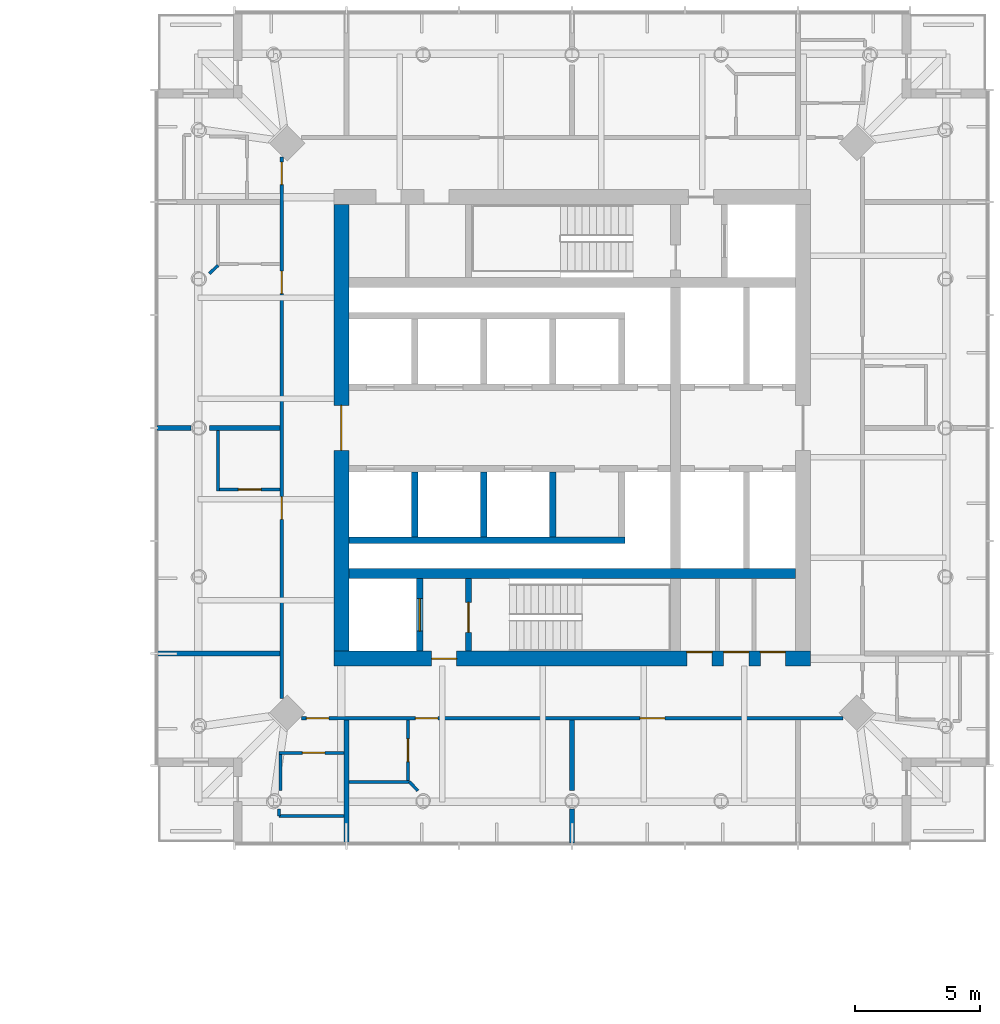
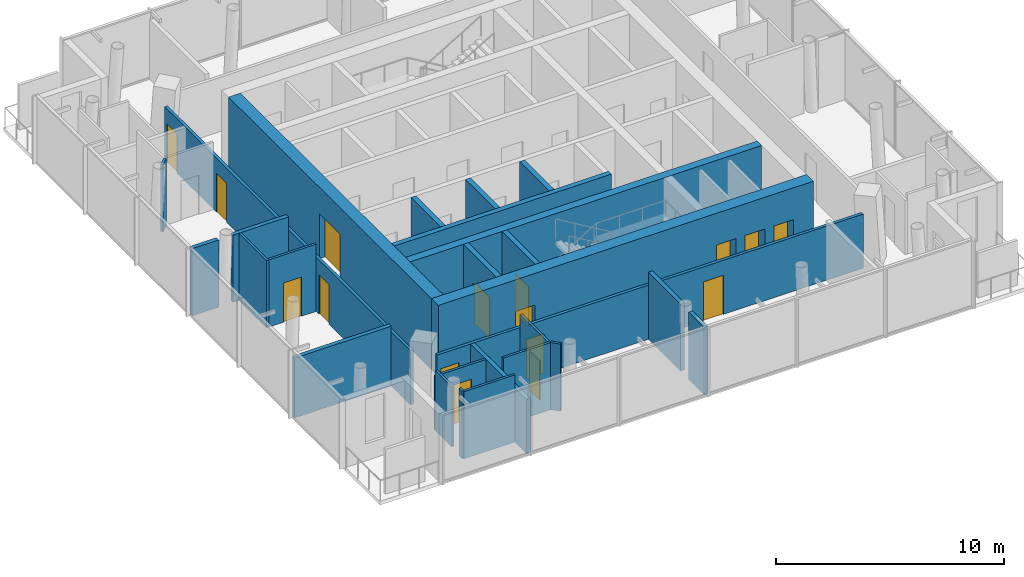
# One storey, part 13 of 19: 27 walls, 16 doors, 16 openings.
"""IFC4 building model written with IfcOpenShell, lengths in metres."""

from ifc_helpers import new_model, si_unit, direction, frame, frame_2d, origin, place, context, subcontext, project, spatial, rectangle, extrude, material, layer, layer_set, type_object, element, fill, save


model = new_model("IFC4")

# Units and contexts
model_context = context("Model", 3, precision=1e-05, world=origin(), true_north=direction((0.0, 1.0)))
body_context = subcontext(model_context, "Body", "Model", "MODEL_VIEW")
ifc_project = project(units=[si_unit("LENGTHUNIT", "METRE"), si_unit("AREAUNIT", "SQUARE_METRE"), si_unit("VOLUMEUNIT", "CUBIC_METRE"), si_unit("PLANEANGLEUNIT", "RADIAN"), si_unit("MASSUNIT", "GRAM", prefix="KILO")], contexts=[model_context])

# Site, building, storey
site_placement = place(None, origin())
site = spatial("IfcSite", under=ifc_project, at=site_placement, CompositionType="ELEMENT")
building_placement = place(site_placement, origin())
building = spatial("IfcBuilding", under=site, at=building_placement, Name="Ostroluk Exchange", CompositionType="ELEMENT")
storey_placement = place(building_placement, frame((0.0, 0.0, 116.0)))
storey = spatial("IfcBuildingStorey", under=building, at=storey_placement, Name="L29", CompositionType="ELEMENT", Elevation=116.0)

# Wall
ifc_material_1 = material(Name="Concrete C50/60", Category="concrete")
ifc_layer_1 = layer(ifc_material_1, 0.39990234375)
ifc_layer_set_1 = layer_set([ifc_layer_1], Name="Core cross wall 400 C50/60")
wall_type_1 = type_object("IfcWallType", Name="Core cross wall 400 C50/60", PredefinedType="SHEAR", material=ifc_layer_set_1)
wall_1_placement = place(storey_placement, frame((108.10009765625, 40.199951171875, 0.0), z_axis=(0.0, 0.0, 1.0), x_axis=(1.0, 0.0, 0.0)))
element("IfcWall", 1, at=wall_1_placement, inside=storey, type_object=wall_type_1, Name="T2 core wall XS", PredefinedType="SHEAR", context=body_context, shape_type="SweptSolid", body=[
    extrude(rectangle(XDim=17.7998046875, YDim=0.39990234375, at=frame_2d((8.89990234375, 0.0))), origin(), (0.0, 0.0, 1.0), 3.800048828125),
])

# Wall, opening, door
ifc_material_2 = material(Name="Concrete C40/50", Category="concrete")
ifc_layer_2 = layer(ifc_material_2, 0.25)
ifc_layer_set_2 = layer_set([ifc_layer_2], Name="Core shaft wall 250")
wall_type_2 = type_object("IfcWallType", Name="Core shaft wall 250", PredefinedType="SHEAR", material=ifc_layer_set_2)
wall_2_placement = place(storey_placement, frame((110.925048828125, 37.10009765625, 0.0), z_axis=(0.0, 0.0, 1.0), x_axis=(0.0, 1.0, 0.0)))
wall_2 = element("IfcWall", 2, at=wall_2_placement, inside=storey, type_object=wall_type_2, Name="Firefighting lift shaft wall", PredefinedType="SHEAR", context=body_context, shape_type="SweptSolid", body=[
    extrude(rectangle(XDim=2.89990234375, YDim=0.25, at=frame_2d((1.449951171875, 0.0))), origin(), (0.0, 0.0, 1.0), 3.800048828125),
])
opening_1_placement = place(wall_2_placement, frame((0.800048828125, 0.0, 0.0)))
opening_1 = element("IfcOpeningElement", 3, at=opening_1_placement, cuts=wall_2, Name="Opening LD2", PredefinedType="OPENING", context=body_context, shape_type="SweptSolid", body=[
    extrude(rectangle(XDim=1.300048828125, YDim=2.199951171875, at=frame_2d((0.64990234375, 1.10009765625))), frame((0.0, 0.135009765625, 0.0), z_axis=(0.0, -1.0, 0.0), x_axis=(1.0, 0.0, 0.0)), (0.0, 0.0, 1.0), 0.27001953125),
])
ifc_material_3 = material(Name="Stainless steel", Category="steel")
door_type_1 = type_object("IfcDoorType", Name="Lift landing door E 60 1300 x 2200", OperationType="DOUBLE_DOOR_SLIDING", PredefinedType="DOOR", material=ifc_material_3)
door_1_placement = place(opening_1_placement, origin())
door_1 = element("IfcDoor", 4, at=door_1_placement, inside=storey, type_object=door_type_1, Name="Lift HF1 landing door", OperationType="DOUBLE_DOOR_SLIDING", OverallHeight=2.199951171875, OverallWidth=1.300048828125, PredefinedType="DOOR", context=body_context, shape_type="SweptSolid", body=[
    extrude(rectangle(XDim=1.300048828125, YDim=2.199951171875, at=frame_2d((0.64990234375, 1.10009765625))), frame((0.0, 0.02490234375, 0.0), z_axis=(0.0, -1.0, 0.0), x_axis=(1.0, 0.0, 0.0)), (0.0, 0.0, 1.0), 0.050048828125),
])
fill(opening_1, door_1)

wall_3_placement = place(storey_placement, frame((112.875, 37.10009765625, 0.0), z_axis=(0.0, 0.0, 1.0), x_axis=(0.0, 1.0, 0.0)))
wall_3 = element("IfcWall", 5, at=wall_3_placement, inside=storey, type_object=wall_type_2, Name="Stair shaft wall", PredefinedType="SHEAR", context=body_context, shape_type="SweptSolid", body=[
    extrude(rectangle(XDim=2.89990234375, YDim=0.25, at=frame_2d((1.449951171875, 0.0))), origin(), (0.0, 0.0, 1.0), 3.800048828125),
])
opening_2_placement = place(wall_3_placement, frame((0.75, 0.0, 0.0)))
opening_2 = element("IfcOpeningElement", 6, at=opening_2_placement, cuts=wall_3, Name="Opening FD60S", PredefinedType="OPENING", context=body_context, shape_type="SweptSolid", body=[
    extrude(rectangle(XDim=1.199951171875, YDim=2.10009765625, at=frame_2d((0.60009765625, 1.050048828125))), frame((0.0, 0.135009765625, 0.0), z_axis=(0.0, -1.0, 0.0), x_axis=(1.0, 0.0, 0.0)), (0.0, 0.0, 1.0), 0.27001953125),
])
ifc_material_4 = material(Name="Steel", Category="steel")
door_type_2 = type_object("IfcDoorType", Name="Stair door EI 60 1200 x 2100", OperationType="SINGLE_SWING_LEFT", PredefinedType="DOOR", material=ifc_material_4)
door_2_placement = place(opening_2_placement, origin())
door_2 = element("IfcDoor", 7, at=door_2_placement, inside=storey, type_object=door_type_2, Name="Stair T2-S1 door", OperationType="SINGLE_SWING_LEFT", OverallHeight=2.10009765625, OverallWidth=1.199951171875, PredefinedType="DOOR", context=body_context, shape_type="SweptSolid", body=[
    extrude(rectangle(XDim=1.199951171875, YDim=2.10009765625, at=frame_2d((0.60009765625, 1.050048828125))), frame((0.0, 0.02490234375, 0.0), z_axis=(0.0, -1.0, 0.0), x_axis=(1.0, 0.0, 0.0)), (0.0, 0.0, 1.0), 0.050048828125),
])
fill(opening_2, door_2)

# Walls
for number, where, z_axis, x_axis, name in (
    (8, (110.72509765625, 44.25, 0.0), (0.0, 0.0, 1.0), (0.0, -1.0, 0.0), "Lift shaft wall"),
    (9, (113.47509765625, 44.25, 0.0), (0.0, 0.0, 1.0), (0.0, -1.0, 0.0), "Lift shaft wall"),
    (10, (116.22509765625, 44.25, 0.0), (0.0, 0.0, 1.0), (0.0, -1.0, 0.0), "Lift shaft wall"),
):
    element("IfcWall", number, at=place(storey_placement, frame(where, z_axis=z_axis, x_axis=x_axis)), inside=storey, type_object=wall_type_2, Name=name, PredefinedType="SHEAR", context=body_context, shape_type="SweptSolid", body=[
        extrude(rectangle(XDim=2.60009765625, YDim=0.25, at=frame_2d((1.300048828125, 0.0))), origin(), (0.0, 0.0, 1.0), 3.800048828125),
    ])
wall_4_placement = place(storey_placement, frame((108.10009765625, 41.52490234375, 0.0), z_axis=(0.0, 0.0, 1.0), x_axis=(1.0, 0.0, 0.0)))
element("IfcWall", 11, at=wall_4_placement, inside=storey, type_object=wall_type_2, Name="Lift shaft wall", PredefinedType="SHEAR", context=body_context, shape_type="SweptSolid", body=[
    extrude(rectangle(XDim=11.0, YDim=0.25, at=frame_2d((5.5, 0.0))), origin(), (0.0, 0.0, 1.0), 3.800048828125),
])

# Wall, openings, doors
ifc_material_5 = material(Name="Concrete C50/60", Category="concrete")
ifc_layer_3 = layer(ifc_material_5, 0.60009765625)
ifc_layer_set_3 = layer_set([ifc_layer_3], Name="Core wall 600 C50/60")
wall_type_3 = type_object("IfcWallType", Name="Core wall 600 C50/60", PredefinedType="SHEAR", material=ifc_layer_set_3)
wall_5_placement = place(storey_placement, frame((107.5, 36.800048828125, 0.0), z_axis=(0.0, 0.0, 1.0), x_axis=(1.0, 0.0, 0.0)))
wall_5 = element("IfcWall", 12, at=wall_5_placement, inside=storey, type_object=wall_type_3, Name="T2 core wall S", PredefinedType="SHEAR", context=body_context, shape_type="SweptSolid", body=[
    extrude(rectangle(XDim=19.0, YDim=0.60009765625, at=frame_2d((9.5, 0.0))), origin(), (0.0, 0.0, 1.0), 3.800048828125),
])
opening_3_placement = place(wall_5_placement, frame((3.89990234375, 0.0, 0.0)))
opening_3 = element("IfcOpeningElement", 13, at=opening_3_placement, cuts=wall_5, Name="Opening FD60", PredefinedType="OPENING", context=body_context, shape_type="SweptSolid", body=[
    extrude(rectangle(XDim=1.0, YDim=2.10009765625, at=frame_2d((0.5, 1.050048828125))), frame((0.0, 0.31005859375, 0.0), z_axis=(0.0, -1.0, 0.0), x_axis=(1.0, 0.0, 0.0)), (0.0, 0.0, 1.0), 0.6201171875),
])
opening_4_placement = place(wall_5_placement, frame((14.080078125, 0.0, 0.0)))
opening_4 = element("IfcOpeningElement", 14, at=opening_4_placement, cuts=wall_5, Name="Opening FD60", PredefinedType="OPENING", context=body_context, shape_type="SweptSolid", body=[
    extrude(rectangle(XDim=1.0, YDim=2.10009765625, at=frame_2d((0.5, 1.050048828125))), frame((0.0, 0.31005859375, 0.0), z_axis=(0.0, -1.0, 0.0), x_axis=(1.0, 0.0, 0.0)), (0.0, 0.0, 1.0), 0.6201171875),
])
opening_5_placement = place(wall_5_placement, frame((15.54248046875, 0.0, 0.0)))
opening_5 = element("IfcOpeningElement", 15, at=opening_5_placement, cuts=wall_5, Name="Opening FD60", PredefinedType="OPENING", context=body_context, shape_type="SweptSolid", body=[
    extrude(rectangle(XDim=1.0, YDim=2.10009765625, at=frame_2d((0.5, 1.050048828125))), frame((0.0, 0.31005859375, 0.0), z_axis=(0.0, -1.0, 0.0), x_axis=(1.0, 0.0, 0.0)), (0.0, 0.0, 1.0), 0.6201171875),
])
opening_6_placement = place(wall_5_placement, frame((17.0048828125, 0.0, 0.0)))
opening_6 = element("IfcOpeningElement", 16, at=opening_6_placement, cuts=wall_5, Name="Opening FD60", PredefinedType="OPENING", context=body_context, shape_type="SweptSolid", body=[
    extrude(rectangle(XDim=1.0, YDim=2.10009765625, at=frame_2d((0.5, 1.050048828125))), frame((0.0, 0.31005859375, 0.0), z_axis=(0.0, -1.0, 0.0), x_axis=(1.0, 0.0, 0.0)), (0.0, 0.0, 1.0), 0.6201171875),
])
ifc_material_6 = material(Name="Steel", Category="steel")
door_type_3 = type_object("IfcDoorType", Name="Fire door EI 60 1000 x 2100", OperationType="SINGLE_SWING_LEFT", PredefinedType="DOOR", material=ifc_material_6)
door_3_placement = place(opening_3_placement, origin())
door_3 = element("IfcDoor", 17, at=door_3_placement, inside=storey, type_object=door_type_3, Name="Firefighting lobby door", OperationType="SINGLE_SWING_LEFT", OverallHeight=2.10009765625, OverallWidth=1.0, PredefinedType="DOOR", context=body_context, shape_type="SweptSolid", body=[
    extrude(rectangle(XDim=1.0, YDim=2.10009765625, at=frame_2d((0.5, 1.050048828125))), frame((0.0, 0.02490234375, 0.0), z_axis=(0.0, -1.0, 0.0), x_axis=(1.0, 0.0, 0.0)), (0.0, 0.0, 1.0), 0.050048828125),
])
fill(opening_3, door_3)
door_4_placement = place(opening_4_placement, origin())
door_4 = element("IfcDoor", 18, at=door_4_placement, inside=storey, type_object=door_type_3, Name="Linen store door", OperationType="SINGLE_SWING_RIGHT", OverallHeight=2.10009765625, OverallWidth=1.0, PredefinedType="DOOR", context=body_context, shape_type="SweptSolid", body=[
    extrude(rectangle(XDim=1.0, YDim=2.10009765625, at=frame_2d((0.5, 1.050048828125))), frame((0.0, 0.2900390625, 0.0), z_axis=(0.0, -1.0, 0.0), x_axis=(1.0, 0.0, 0.0)), (0.0, 0.0, 1.0), 0.050048828125),
])
fill(opening_4, door_4)
door_5_placement = place(opening_5_placement, origin())
door_5 = element("IfcDoor", 19, at=door_5_placement, inside=storey, type_object=door_type_3, Name="Housekeeping store door", OperationType="SINGLE_SWING_RIGHT", OverallHeight=2.10009765625, OverallWidth=1.0, PredefinedType="DOOR", context=body_context, shape_type="SweptSolid", body=[
    extrude(rectangle(XDim=1.0, YDim=2.10009765625, at=frame_2d((0.5, 1.050048828125))), frame((0.0, 0.2900390625, 0.0), z_axis=(0.0, -1.0, 0.0), x_axis=(1.0, 0.0, 0.0)), (0.0, 0.0, 1.0), 0.050048828125),
])
fill(opening_5, door_5)
door_6_placement = place(opening_6_placement, origin())
door_6 = element("IfcDoor", 20, at=door_6_placement, inside=storey, type_object=door_type_3, Name="Luggage store door", OperationType="SINGLE_SWING_RIGHT", OverallHeight=2.10009765625, OverallWidth=1.0, PredefinedType="DOOR", context=body_context, shape_type="SweptSolid", body=[
    extrude(rectangle(XDim=1.0, YDim=2.10009765625, at=frame_2d((0.5, 1.050048828125))), frame((0.0, 0.2900390625, 0.0), z_axis=(0.0, -1.0, 0.0), x_axis=(1.0, 0.0, 0.0)), (0.0, 0.0, 1.0), 0.050048828125),
])
fill(opening_6, door_6)

# Wall, opening, door
wall_6_placement = place(storey_placement, frame((107.800048828125, 37.10009765625, 0.0), z_axis=(0.0, 0.0, 1.0), x_axis=(0.0, 1.0, 0.0)))
wall_6 = element("IfcWall", 21, at=wall_6_placement, inside=storey, type_object=wall_type_3, Name="T2 core wall W", PredefinedType="SHEAR", context=body_context, shape_type="SweptSolid", body=[
    extrude(rectangle(XDim=17.7998046875, YDim=0.60009765625, at=frame_2d((8.89990234375, 0.0))), origin(), (0.0, 0.0, 1.0), 3.800048828125),
])
opening_7_placement = place(wall_6_placement, frame((8.0, 0.0, 0.0)))
opening_7 = element("IfcOpeningElement", 22, at=opening_7_placement, cuts=wall_6, Name="Opening FD30D", PredefinedType="OPENING", context=body_context, shape_type="SweptSolid", body=[
    extrude(rectangle(XDim=1.800048828125, YDim=2.39990234375, at=frame_2d((0.89990234375, 1.199951171875))), frame((0.0, 0.31005859375, 0.0), z_axis=(0.0, -1.0, 0.0), x_axis=(1.0, 0.0, 0.0)), (0.0, 0.0, 1.0), 0.6201171875),
])
ifc_material_7 = material(Name="Timber", Category="wood")
door_type_4 = type_object("IfcDoorType", Name="Lobby double door EI 30 1800 x 2400", OperationType="DOUBLE_DOOR_SINGLE_SWING", PredefinedType="DOOR", material=ifc_material_7)
door_7_placement = place(opening_7_placement, origin())
door_7 = element("IfcDoor", 23, at=door_7_placement, inside=storey, type_object=door_type_4, Name="Lift lobby doors", OperationType="DOUBLE_DOOR_SINGLE_SWING", OverallHeight=2.39990234375, OverallWidth=1.800048828125, PredefinedType="DOOR", context=body_context, shape_type="SweptSolid", body=[
    extrude(rectangle(XDim=1.800048828125, YDim=2.39990234375, at=frame_2d((0.89990234375, 1.199951171875))), frame((0.0, 0.02490234375, 0.0), z_axis=(0.0, -1.0, 0.0), x_axis=(1.0, 0.0, 0.0)), (0.0, 0.0, 1.0), 0.050048828125),
])
fill(opening_7, door_7)

# Wall
ifc_material_8 = material(Name="Gypsum plasterboard partition, moisture resistant", Category="gypsum")
ifc_layer_4 = layer(ifc_material_8, 0.1201171875)
ifc_layer_set_4 = layer_set([ifc_layer_4], Name="Plasterboard en-suite wall 120")
wall_type_4 = type_object("IfcWallType", Name="Plasterboard en-suite wall 120", PredefinedType="PARTITIONING", material=ifc_layer_set_4)
wall_7_placement = place(storey_placement, frame((102.889892578125, 45.89990234375, 0.0), z_axis=(0.0, 0.0, 1.0), x_axis=(0.0, -1.0, 0.0)))
element("IfcWall", 24, at=wall_7_placement, inside=storey, type_object=wall_type_4, Name="En-suite wall", PredefinedType="PARTITIONING", context=body_context, shape_type="SweptSolid", body=[
    extrude(rectangle(XDim=2.419921875, YDim=0.1201171875, at=frame_2d((1.2099609375, 0.0))), origin(), (0.0, 0.0, 1.0), 3.60009765625),
])

# Wall, opening, door
wall_8_placement = place(storey_placement, frame((105.35009765625, 43.5400390625, 0.0), z_axis=(0.0, 0.0, 1.0), x_axis=(-1.0, 0.0, 0.0)))
wall_8 = element("IfcWall", 25, at=wall_8_placement, inside=storey, type_object=wall_type_4, Name="En-suite wall", PredefinedType="PARTITIONING", context=body_context, shape_type="SweptSolid", body=[
    extrude(rectangle(XDim=2.400146484375, YDim=0.1201171875, at=frame_2d((1.2001953125, 0.0))), origin(), (0.0, 0.0, 1.0), 3.60009765625),
])
opening_8_placement = place(wall_8_placement, frame((0.75, 0.0, 0.0)))
opening_8 = element("IfcOpeningElement", 26, at=opening_8_placement, cuts=wall_8, Name="Opening D-02", PredefinedType="OPENING", context=body_context, shape_type="SweptSolid", body=[
    extrude(rectangle(XDim=0.89990234375, YDim=2.10009765625, at=frame_2d((0.449951171875, 1.050048828125))), frame((0.0, 0.070068359375, 0.0), z_axis=(0.0, -1.0, 0.0), x_axis=(1.0, 0.0, 0.0)), (0.0, 0.0, 1.0), 0.14013671875),
])
ifc_material_9 = material(Name="Timber", Category="wood")
door_type_5 = type_object("IfcDoorType", Name="En-suite door 900 x 2100", OperationType="SINGLE_SWING_LEFT", PredefinedType="DOOR", material=ifc_material_9)
door_8_placement = place(opening_8_placement, origin())
door_8 = element("IfcDoor", 27, at=door_8_placement, inside=storey, type_object=door_type_5, Name="En-suite door 2907", OperationType="SINGLE_SWING_RIGHT", OverallHeight=2.10009765625, OverallWidth=0.89990234375, PredefinedType="DOOR", context=body_context, shape_type="SweptSolid", body=[
    extrude(rectangle(XDim=0.89990234375, YDim=2.10009765625, at=frame_2d((0.449951171875, 1.050048828125))), frame((0.0, 0.02490234375, 0.0), z_axis=(0.0, -1.0, 0.0), x_axis=(1.0, 0.0, 0.0)), (0.0, 0.0, 1.0), 0.050048828125),
])
fill(opening_8, door_8)

wall_9_placement = place(storey_placement, frame((107.89990234375, 33.050048828125, 0.0), z_axis=(0.0, 0.0, 1.0), x_axis=(-1.0, 0.0, 0.0)))
wall_9 = element("IfcWall", 28, at=wall_9_placement, inside=storey, type_object=wall_type_4, Name="En-suite wall", PredefinedType="PARTITIONING", context=body_context, shape_type="SweptSolid", body=[
    extrude(rectangle(XDim=2.579833984375, YDim=0.1201171875, at=frame_2d((1.2900390625, 0.0))), origin(), (0.0, 0.0, 1.0), 2.89990234375),
])
opening_9_placement = place(wall_9_placement, frame((0.75, 0.0, 0.0)))
opening_9 = element("IfcOpeningElement", 29, at=opening_9_placement, cuts=wall_9, Name="Opening D-02", PredefinedType="OPENING", context=body_context, shape_type="SweptSolid", body=[
    extrude(rectangle(XDim=0.89990234375, YDim=2.10009765625, at=frame_2d((0.449951171875, 1.050048828125))), frame((0.0, 0.070068359375, 0.0), z_axis=(0.0, -1.0, 0.0), x_axis=(1.0, 0.0, 0.0)), (0.0, 0.0, 1.0), 0.14013671875),
])
door_9_placement = place(opening_9_placement, origin())
door_9 = element("IfcDoor", 30, at=door_9_placement, inside=storey, type_object=door_type_5, Name="En-suite door 2908", OperationType="SINGLE_SWING_LEFT", OverallHeight=2.10009765625, OverallWidth=0.89990234375, PredefinedType="DOOR", context=body_context, shape_type="SweptSolid", body=[
    extrude(rectangle(XDim=0.89990234375, YDim=2.10009765625, at=frame_2d((0.449951171875, 1.050048828125))), frame((0.0, 0.02490234375, 0.0), z_axis=(0.0, -1.0, 0.0), x_axis=(1.0, 0.0, 0.0)), (0.0, 0.0, 1.0), 0.050048828125),
])
fill(opening_9, door_9)

# Walls
wall_10_placement = place(storey_placement, frame((107.89990234375, 30.530029296875, 0.0), z_axis=(0.0, 0.0, 1.0), x_axis=(-1.0, 0.0, 0.0)))
element("IfcWall", 31, at=wall_10_placement, inside=storey, type_object=wall_type_4, Name="En-suite wall", PredefinedType="PARTITIONING", context=body_context, shape_type="SweptSolid", body=[
    extrude(rectangle(XDim=2.579833984375, YDim=0.1201171875, at=frame_2d((1.2900390625, 0.0))), origin(), (0.0, 0.0, 1.0), 3.60009765625),
])
wall_11_placement = place(storey_placement, frame((105.3798828125, 32.989990234375, 0.0), z_axis=(0.0, 0.0, 1.0), x_axis=(0.0, -1.0, 0.0)))
element("IfcWall", 32, at=wall_11_placement, inside=storey, type_object=wall_type_4, Name="En-suite wall", PredefinedType="PARTITIONING", context=body_context, shape_type="SweptSolid", body=[
    extrude(rectangle(XDim=1.451904296875, YDim=0.1201171875, at=frame_2d((0.72607421875, 0.0))), origin(), (0.0, 0.0, 1.0), 3.199951171875),
])
wall_12_placement = place(storey_placement, frame((108.10009765625, 31.889892578125, 0.0), z_axis=(0.0, 0.0, 1.0), x_axis=(1.0, 0.0, 0.0)))
element("IfcWall", 33, at=wall_12_placement, inside=storey, type_object=wall_type_4, Name="En-suite wall", PredefinedType="PARTITIONING", context=body_context, shape_type="SweptSolid", body=[
    extrude(rectangle(XDim=2.419921875, YDim=0.1201171875, at=frame_2d((1.2099609375, 0.0))), origin(), (0.0, 0.0, 1.0), 3.60009765625),
])

# Wall, opening, door
wall_13_placement = place(storey_placement, frame((110.4599609375, 34.35009765625, 0.0), z_axis=(0.0, 0.0, 1.0), x_axis=(0.0, -1.0, 0.0)))
wall_13 = element("IfcWall", 34, at=wall_13_placement, inside=storey, type_object=wall_type_4, Name="En-suite wall", PredefinedType="PARTITIONING", context=body_context, shape_type="SweptSolid", body=[
    extrude(rectangle(XDim=2.400146484375, YDim=0.1201171875, at=frame_2d((1.2001953125, 0.0))), origin(), (0.0, 0.0, 1.0), 3.60009765625),
])
opening_10_placement = place(wall_13_placement, frame((0.75, 0.0, 0.0)))
opening_10 = element("IfcOpeningElement", 35, at=opening_10_placement, cuts=wall_13, Name="Opening D-02", PredefinedType="OPENING", context=body_context, shape_type="SweptSolid", body=[
    extrude(rectangle(XDim=0.89990234375, YDim=2.10009765625, at=frame_2d((0.449951171875, 1.050048828125))), frame((0.0, 0.070068359375, 0.0), z_axis=(0.0, -1.0, 0.0), x_axis=(1.0, 0.0, 0.0)), (0.0, 0.0, 1.0), 0.14013671875),
])
door_10_placement = place(opening_10_placement, origin())
door_10 = element("IfcDoor", 36, at=door_10_placement, inside=storey, type_object=door_type_5, Name="En-suite door 2909", OperationType="SINGLE_SWING_LEFT", OverallHeight=2.10009765625, OverallWidth=0.89990234375, PredefinedType="DOOR", context=body_context, shape_type="SweptSolid", body=[
    extrude(rectangle(XDim=0.89990234375, YDim=2.10009765625, at=frame_2d((0.449951171875, 1.050048828125))), frame((0.0, 0.02490234375, 0.0), z_axis=(0.0, -1.0, 0.0), x_axis=(1.0, 0.0, 0.0)), (0.0, 0.0, 1.0), 0.050048828125),
])
fill(opening_10, door_10)

# Walls
wall_14_placement = place(storey_placement, frame((102.889892578125, 52.47998046875, 0.0), z_axis=(0.0, 0.0, 1.0), x_axis=(-0.729521416195, -0.683957968966, 0.0)))
element("IfcWall", 37, at=wall_14_placement, inside=storey, type_object=wall_type_4, Name="En-suite wall", PredefinedType="PARTITIONING", context=body_context, shape_type="SweptSolid", body=[
    extrude(rectangle(XDim=0.482177734375, YDim=0.1201171875, at=frame_2d((0.2412109375, 0.0))), origin(), (0.0, 0.0, 1.0), 3.60009765625),
])
wall_15_placement = place(storey_placement, frame((105.320068359375, 30.530029296875, 0.0), z_axis=(0.0, 0.0, 1.0), x_axis=(0.0, 1.0, 0.0)))
element("IfcWall", 38, at=wall_15_placement, inside=storey, type_object=wall_type_4, Name="En-suite wall", PredefinedType="PARTITIONING", context=body_context, shape_type="SweptSolid", body=[
    extrude(rectangle(XDim=0.285400390625, YDim=0.1201171875, at=frame_2d((0.142578125, 0.0))), origin(), (0.0, 0.0, 1.0), 3.60009765625),
])
wall_16_placement = place(storey_placement, frame((110.52001953125, 31.889892578125, 0.0), z_axis=(0.0, 0.0, 1.0), x_axis=(0.683957968966, -0.729521416195, 0.0)))
element("IfcWall", 39, at=wall_16_placement, inside=storey, type_object=wall_type_4, Name="En-suite wall", PredefinedType="PARTITIONING", context=body_context, shape_type="SweptSolid", body=[
    extrude(rectangle(XDim=0.482177734375, YDim=0.1201171875, at=frame_2d((0.2412109375, 0.0))), origin(), (0.0, 0.0, 1.0), 3.60009765625),
])

# Wall, openings, doors
ifc_material_10 = material(Name="Gypsum plasterboard partition", Category="gypsum")
ifc_layer_5 = layer(ifc_material_10, 0.14990234375)
ifc_layer_set_5 = layer_set([ifc_layer_5], Name="Plasterboard partition 150")
wall_type_5 = type_object("IfcWallType", Name="Plasterboard partition 150", PredefinedType="PARTITIONING", material=ifc_layer_set_5)
wall_17_placement = place(storey_placement, frame((105.425048828125, 56.79296875, 0.0), z_axis=(0.0, 0.0, 1.0), x_axis=(0.0, -1.0, 0.0)))
wall_17 = element("IfcWall", 40, at=wall_17_placement, inside=storey, type_object=wall_type_5, Name="Corridor wall", PredefinedType="PARTITIONING", context=body_context, shape_type="SweptSolid", body=[
    extrude(rectangle(XDim=21.5859375, YDim=0.14990234375, at=frame_2d((10.79296875, 0.0))), origin(), (0.0, 0.0, 1.0), 2.89990234375),
])
opening_11_placement = place(wall_17_placement, frame((0.199951171875, 0.0, 0.0)))
opening_11 = element("IfcOpeningElement", 41, at=opening_11_placement, cuts=wall_17, Name="Opening D-01", PredefinedType="OPENING", context=body_context, shape_type="SweptSolid", body=[
    extrude(rectangle(XDim=0.89990234375, YDim=2.10009765625, at=frame_2d((0.449951171875, 1.050048828125))), frame((0.0, 0.0849609375, 0.0), z_axis=(0.0, -1.0, 0.0), x_axis=(1.0, 0.0, 0.0)), (0.0, 0.0, 1.0), 0.169921875),
])
opening_12_placement = place(wall_17_placement, frame((4.54296875, 0.0, 0.0)))
opening_12 = element("IfcOpeningElement", 42, at=opening_12_placement, cuts=wall_17, Name="Opening D-01", PredefinedType="OPENING", context=body_context, shape_type="SweptSolid", body=[
    extrude(rectangle(XDim=0.89990234375, YDim=2.10009765625, at=frame_2d((0.449951171875, 1.050048828125))), frame((0.0, 0.0849609375, 0.0), z_axis=(0.0, -1.0, 0.0), x_axis=(1.0, 0.0, 0.0)), (0.0, 0.0, 1.0), 0.169921875),
])
opening_13_placement = place(wall_17_placement, frame((13.54296875, 0.0, 0.0)))
opening_13 = element("IfcOpeningElement", 43, at=opening_13_placement, cuts=wall_17, Name="Opening D-01", PredefinedType="OPENING", context=body_context, shape_type="SweptSolid", body=[
    extrude(rectangle(XDim=0.89990234375, YDim=2.10009765625, at=frame_2d((0.449951171875, 1.050048828125))), frame((0.0, 0.0849609375, 0.0), z_axis=(0.0, -1.0, 0.0), x_axis=(1.0, 0.0, 0.0)), (0.0, 0.0, 1.0), 0.169921875),
])
ifc_material_11 = material(Name="Timber", Category="wood")
door_type_6 = type_object("IfcDoorType", Name="Hotel room door EI 30 Sa 900 x 2100", OperationType="SINGLE_SWING_LEFT", PredefinedType="DOOR", material=ifc_material_11)
door_11_placement = place(opening_11_placement, origin())
door_11 = element("IfcDoor", 44, at=door_11_placement, inside=storey, type_object=door_type_6, Name="Room door 2905", OperationType="SINGLE_SWING_RIGHT", OverallHeight=2.10009765625, OverallWidth=0.89990234375, PredefinedType="DOOR", context=body_context, shape_type="SweptSolid", body=[
    extrude(rectangle(XDim=0.89990234375, YDim=2.10009765625, at=frame_2d((0.449951171875, 1.050048828125))), frame((0.0, 0.02490234375, 0.0), z_axis=(0.0, -1.0, 0.0), x_axis=(1.0, 0.0, 0.0)), (0.0, 0.0, 1.0), 0.050048828125),
])
fill(opening_11, door_11)
door_12_placement = place(opening_12_placement, origin())
door_12 = element("IfcDoor", 45, at=door_12_placement, inside=storey, type_object=door_type_6, Name="Room door 2906", OperationType="SINGLE_SWING_LEFT", OverallHeight=2.10009765625, OverallWidth=0.89990234375, PredefinedType="DOOR", context=body_context, shape_type="SweptSolid", body=[
    extrude(rectangle(XDim=0.89990234375, YDim=2.10009765625, at=frame_2d((0.449951171875, 1.050048828125))), frame((0.0, 0.02490234375, 0.0), z_axis=(0.0, -1.0, 0.0), x_axis=(1.0, 0.0, 0.0)), (0.0, 0.0, 1.0), 0.050048828125),
])
fill(opening_12, door_12)
door_13_placement = place(opening_13_placement, origin())
door_13 = element("IfcDoor", 46, at=door_13_placement, inside=storey, type_object=door_type_6, Name="Room door 2907", OperationType="SINGLE_SWING_RIGHT", OverallHeight=2.10009765625, OverallWidth=0.89990234375, PredefinedType="DOOR", context=body_context, shape_type="SweptSolid", body=[
    extrude(rectangle(XDim=0.89990234375, YDim=2.10009765625, at=frame_2d((0.449951171875, 1.050048828125))), frame((0.0, 0.02490234375, 0.0), z_axis=(0.0, -1.0, 0.0), x_axis=(1.0, 0.0, 0.0)), (0.0, 0.0, 1.0), 0.050048828125),
])
fill(opening_13, door_13)

wall_18_placement = place(storey_placement, frame((106.20703125, 34.425048828125, 0.0), z_axis=(0.0, 0.0, 1.0), x_axis=(1.0, 0.0, 0.0)))
wall_18 = element("IfcWall", 47, at=wall_18_placement, inside=storey, type_object=wall_type_5, Name="Corridor wall", PredefinedType="PARTITIONING", context=body_context, shape_type="SweptSolid", body=[
    extrude(rectangle(XDim=21.5859375, YDim=0.14990234375, at=frame_2d((10.79296875, 0.0))), origin(), (0.0, 0.0, 1.0), 2.89990234375),
])
opening_14_placement = place(wall_18_placement, frame((0.199951171875, 0.0, 0.0)))
opening_14 = element("IfcOpeningElement", 48, at=opening_14_placement, cuts=wall_18, Name="Opening D-01", PredefinedType="OPENING", context=body_context, shape_type="SweptSolid", body=[
    extrude(rectangle(XDim=0.89990234375, YDim=2.10009765625, at=frame_2d((0.449951171875, 1.050048828125))), frame((0.0, 0.0849609375, 0.0), z_axis=(0.0, -1.0, 0.0), x_axis=(1.0, 0.0, 0.0)), (0.0, 0.0, 1.0), 0.169921875),
])
opening_15_placement = place(wall_18_placement, frame((4.54296875, 0.0, 0.0)))
opening_15 = element("IfcOpeningElement", 49, at=opening_15_placement, cuts=wall_18, Name="Opening D-01", PredefinedType="OPENING", context=body_context, shape_type="SweptSolid", body=[
    extrude(rectangle(XDim=0.89990234375, YDim=2.10009765625, at=frame_2d((0.449951171875, 1.050048828125))), frame((0.0, 0.0849609375, 0.0), z_axis=(0.0, -1.0, 0.0), x_axis=(1.0, 0.0, 0.0)), (0.0, 0.0, 1.0), 0.169921875),
])
opening_16_placement = place(wall_18_placement, frame((13.492919921875, 0.0, 0.0)))
opening_16 = element("IfcOpeningElement", 50, at=opening_16_placement, cuts=wall_18, Name="Opening D-03", PredefinedType="OPENING", context=body_context, shape_type="SweptSolid", body=[
    extrude(rectangle(XDim=1.0, YDim=2.10009765625, at=frame_2d((0.5, 1.050048828125))), frame((0.0, 0.0849609375, 0.0), z_axis=(0.0, -1.0, 0.0), x_axis=(1.0, 0.0, 0.0)), (0.0, 0.0, 1.0), 0.169921875),
])
door_14_placement = place(opening_14_placement, origin())
door_14 = element("IfcDoor", 51, at=door_14_placement, inside=storey, type_object=door_type_6, Name="Room door 2908", OperationType="SINGLE_SWING_RIGHT", OverallHeight=2.10009765625, OverallWidth=0.89990234375, PredefinedType="DOOR", context=body_context, shape_type="SweptSolid", body=[
    extrude(rectangle(XDim=0.89990234375, YDim=2.10009765625, at=frame_2d((0.449951171875, 1.050048828125))), frame((0.0, 0.02490234375, 0.0), z_axis=(0.0, -1.0, 0.0), x_axis=(1.0, 0.0, 0.0)), (0.0, 0.0, 1.0), 0.050048828125),
])
fill(opening_14, door_14)
door_15_placement = place(opening_15_placement, origin())
door_15 = element("IfcDoor", 52, at=door_15_placement, inside=storey, type_object=door_type_6, Name="Room door 2909", OperationType="SINGLE_SWING_LEFT", OverallHeight=2.10009765625, OverallWidth=0.89990234375, PredefinedType="DOOR", context=body_context, shape_type="SweptSolid", body=[
    extrude(rectangle(XDim=0.89990234375, YDim=2.10009765625, at=frame_2d((0.449951171875, 1.050048828125))), frame((0.0, 0.02490234375, 0.0), z_axis=(0.0, -1.0, 0.0), x_axis=(1.0, 0.0, 0.0)), (0.0, 0.0, 1.0), 0.050048828125),
])
fill(opening_15, door_15)
ifc_material_12 = material(Name="Timber", Category="wood")
door_type_7 = type_object("IfcDoorType", Name="Internal door 1000 x 2100", OperationType="SINGLE_SWING_LEFT", PredefinedType="DOOR", material=ifc_material_12)
door_16_placement = place(opening_16_placement, origin())
door_16 = element("IfcDoor", 53, at=door_16_placement, inside=storey, type_object=door_type_7, Name="Guest lounge door", OperationType="SINGLE_SWING_RIGHT", OverallHeight=2.10009765625, OverallWidth=1.0, PredefinedType="DOOR", context=body_context, shape_type="SweptSolid", body=[
    extrude(rectangle(XDim=1.0, YDim=2.10009765625, at=frame_2d((0.5, 1.050048828125))), frame((0.0, 0.02490234375, 0.0), z_axis=(0.0, -1.0, 0.0), x_axis=(1.0, 0.0, 0.0)), (0.0, 0.0, 1.0), 0.050048828125),
])
fill(opening_16, door_16)

# Walls
ifc_material_13 = material(Name="Gypsum plasterboard partition", Category="gypsum")
ifc_layer_6 = layer(ifc_material_13, 0.199951171875)
ifc_layer_set_6 = layer_set([ifc_layer_6], Name="Plasterboard party wall 200")
wall_type_6 = type_object("IfcWallType", Name="Plasterboard party wall 200", PredefinedType="PARTITIONING", material=ifc_layer_set_6)
wall_19_placement = place(storey_placement, frame((105.35009765625, 46.0, 0.0), z_axis=(0.0, 0.0, 1.0), x_axis=(-1.0, 0.0, 0.0)))
element("IfcWall", 54, at=wall_19_placement, inside=storey, type_object=wall_type_6, Name="Party wall", PredefinedType="PARTITIONING", context=body_context, shape_type="SweptSolid", body=[
    extrude(rectangle(XDim=2.81201171875, YDim=0.199951171875, at=frame_2d((1.406005859375, 0.0))), origin(), (0.0, 0.0, 1.0), 3.60009765625),
])
wall_20_placement = place(storey_placement, frame((101.8154296875, 46.0, 0.0), z_axis=(0.0, 0.0, 1.0), x_axis=(-1.0, 0.0, 0.0)))
element("IfcWall", 55, at=wall_20_placement, inside=storey, type_object=wall_type_6, Name="Party wall", PredefinedType="PARTITIONING", context=body_context, shape_type="SweptSolid", body=[
    extrude(rectangle(XDim=1.35546875, YDim=0.199951171875, at=frame_2d((0.677734375, 0.0))), origin(), (0.0, 0.0, 1.0), 3.60009765625),
])
wall_21_placement = place(storey_placement, frame((105.35009765625, 37.0, 0.0), z_axis=(0.0, 0.0, 1.0), x_axis=(-1.0, 0.0, 0.0)))
element("IfcWall", 56, at=wall_21_placement, inside=storey, type_object=wall_type_6, Name="Party wall", PredefinedType="PARTITIONING", context=body_context, shape_type="SweptSolid", body=[
    extrude(rectangle(XDim=4.89013671875, YDim=0.199951171875, at=frame_2d((2.445068359375, 0.0))), origin(), (0.0, 0.0, 1.0), 3.199951171875),
])
wall_22_placement = place(storey_placement, frame((108.0, 34.35009765625, 0.0), z_axis=(0.0, 0.0, 1.0), x_axis=(0.0, -1.0, 0.0)))
element("IfcWall", 57, at=wall_22_placement, inside=storey, type_object=wall_type_6, Name="Party wall", PredefinedType="PARTITIONING", context=body_context, shape_type="SweptSolid", body=[
    extrude(rectangle(XDim=4.89013671875, YDim=0.199951171875, at=frame_2d((2.445068359375, 0.0))), origin(), (0.0, 0.0, 1.0), 2.89990234375),
])
wall_23_placement = place(storey_placement, frame((117.0, 34.35009765625, 0.0), z_axis=(0.0, 0.0, 1.0), x_axis=(0.0, -1.0, 0.0)))
element("IfcWall", 58, at=wall_23_placement, inside=storey, type_object=wall_type_6, Name="Party wall", PredefinedType="PARTITIONING", context=body_context, shape_type="SweptSolid", body=[
    extrude(rectangle(XDim=2.81201171875, YDim=0.199951171875, at=frame_2d((1.406005859375, 0.0))), origin(), (0.0, 0.0, 1.0), 3.60009765625),
])
wall_24_placement = place(storey_placement, frame((117.0, 30.8154296875, 0.0), z_axis=(0.0, 0.0, 1.0), x_axis=(0.0, -1.0, 0.0)))
element("IfcWall", 59, at=wall_24_placement, inside=storey, type_object=wall_type_6, Name="Party wall", PredefinedType="PARTITIONING", context=body_context, shape_type="SweptSolid", body=[
    extrude(rectangle(XDim=1.35546875, YDim=0.199951171875, at=frame_2d((0.677734375, 0.0))), origin(), (0.0, 0.0, 1.0), 3.60009765625),
])

save(model, "model.ifc")
